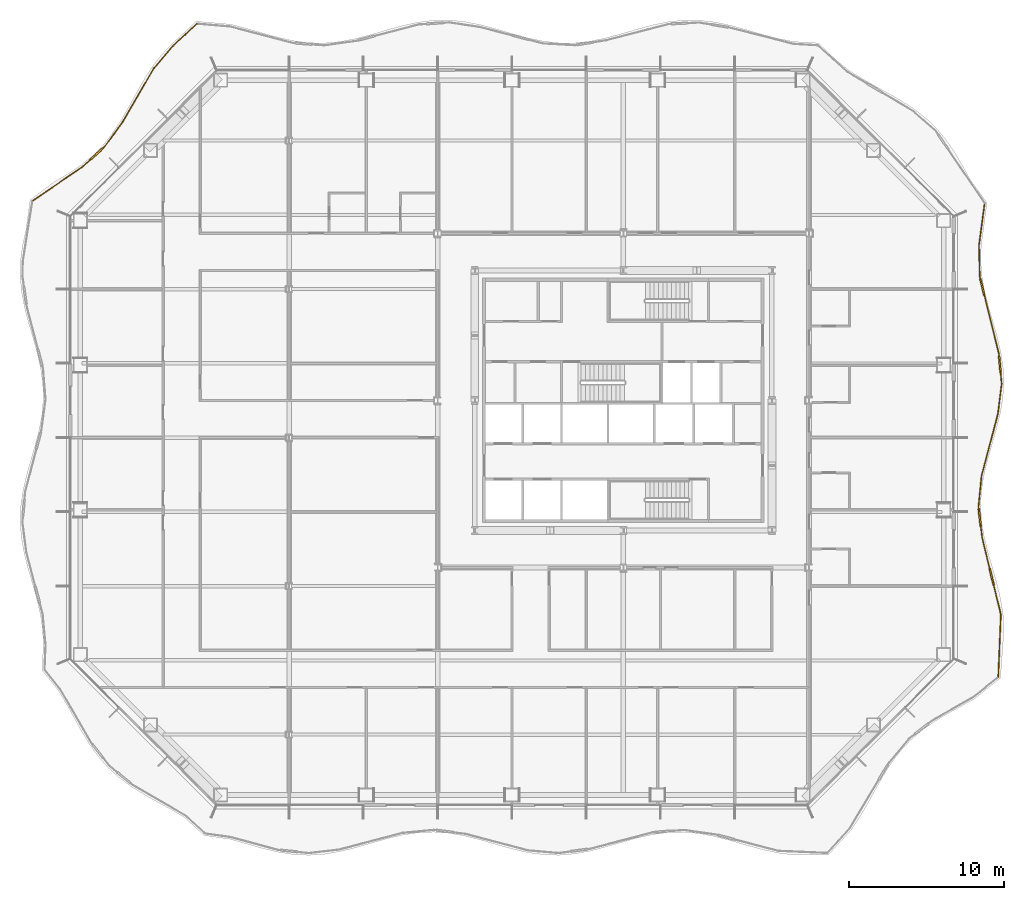
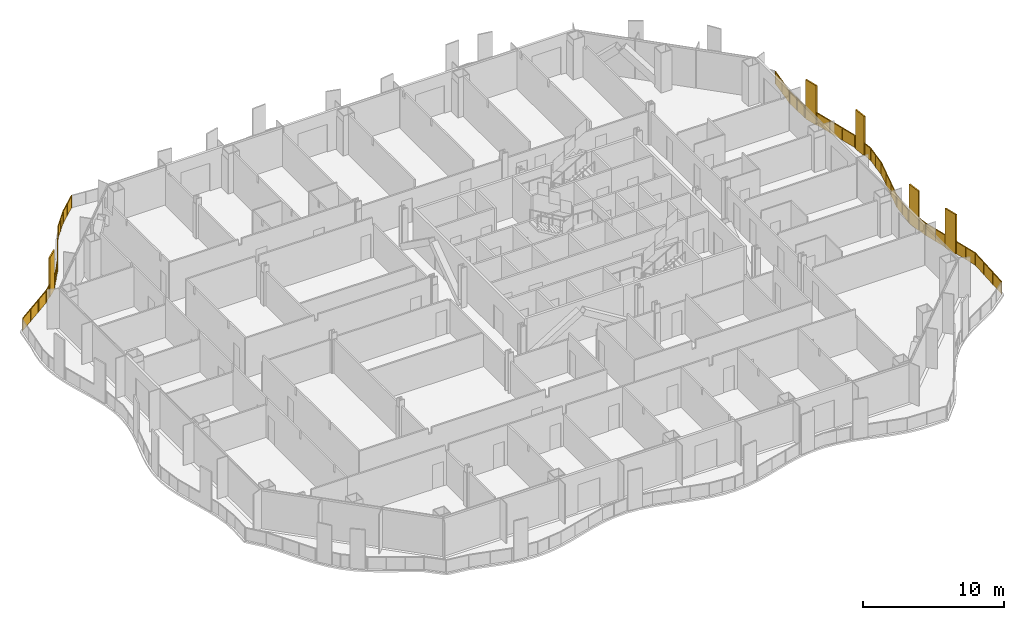
# One storey, part 19 of 21: 2 railings.
"""IFC4 building model written with IfcOpenShell, lengths in metres."""

from ifc_helpers import new_model, si_unit, direction, frame, origin, origin_2d, place, context, subcontext, project, spatial, polyline, rectangle, outline, extrude, material, type_object, element, save


model = new_model("IFC4")

# Units and contexts
model_context = context("Model", 3, precision=1e-05, world=origin(), true_north=direction((0.0, 1.0)))
body_context = subcontext(model_context, "Body", "Model", "MODEL_VIEW")
ifc_project = project(units=[si_unit("LENGTHUNIT", "METRE"), si_unit("AREAUNIT", "SQUARE_METRE"), si_unit("VOLUMEUNIT", "CUBIC_METRE"), si_unit("PLANEANGLEUNIT", "RADIAN"), si_unit("MASSUNIT", "GRAM", prefix="KILO")], contexts=[model_context])

# Site, building, storey
site_placement = place(None, origin())
site = spatial("IfcSite", under=ifc_project, at=site_placement, CompositionType="ELEMENT")
building_placement = place(site_placement, origin())
building = spatial("IfcBuilding", under=site, at=building_placement, Name="Cairn Pilgrim Tower", CompositionType="ELEMENT")
storey_placement = place(building_placement, frame((0.0, 0.0, 69.0)))
storey = spatial("IfcBuildingStorey", under=building, at=storey_placement, Name="L15", CompositionType="ELEMENT", Elevation=69.0)

# Railings
ifc_material = material(Name="Bronze anodised aluminium rail, posts and fin screens with laminated glass infill", Category="aluminium")
railing_type = type_object("IfcRailingType", Name="BALCONY GUARD WITH FIN SCREENS", PredefinedType="GUARDRAIL", material=ifc_material)
railing_1_placement = place(storey_placement, frame((31.428466796875, -15.47509765625, 0.0)))
element("IfcRailing", 1, at=railing_1_placement, inside=storey, type_object=railing_type, Name="Balcony guard BGF-3 with fin screens", PredefinedType="GUARDRAIL", context=body_context, shape_type="SweptSolid", body=[
    extrude(rectangle(XDim=0.050048828125, YDim=0.050048828125, at=origin_2d()), frame((0.0, 0.0, 1.0751953125), z_axis=(0.041665708271, 0.999131607324, 0.0), x_axis=(-0.999131607324, 0.041665708271, 0.0)), (0.0, 0.0, 1.0), 4.04296875),
    extrude(rectangle(XDim=1.10009765625, YDim=0.110107421875, at=origin_2d()), frame((-0.42529296875, 6.4736328125, 0.0), z_axis=(0.0, 0.0, 1.0), x_axis=(-0.237011292775, 0.971506895033, 0.0)), (0.0, 0.0, 1.0), 3.39990234375),
    extrude(rectangle(XDim=0.050048828125, YDim=0.050048828125, at=origin_2d()), frame((0.16845703125, 4.03955078125, 1.0751953125), z_axis=(-0.237011292775, 0.971506895033, 0.0), x_axis=(-0.971506895033, -0.237011292775, 0.0)), (0.0, 0.0, 1.0), 1.955322265625),
    extrude(rectangle(XDim=0.050048828125, YDim=0.050048828125, at=origin_2d()), frame((-0.5556640625, 7.0078125, 1.0751953125), z_axis=(-0.237011292775, 0.971506895033, 0.0), x_axis=(-0.971506895033, -0.237011292775, 0.0)), (0.0, 0.0, 1.0), 2.04345703125),
    extrude(rectangle(XDim=1.10009765625, YDim=0.110107421875, at=origin_2d()), frame((-1.1962890625, 10.3095703125, 0.0), z_axis=(0.0, 0.0, 1.0), x_axis=(-0.117876159792, 0.993028303198, 0.0)), (0.0, 0.0, 1.0), 3.39990234375),
    extrude(rectangle(XDim=0.050048828125, YDim=0.050048828125, at=origin_2d()), frame((-1.0400390625, 8.9931640625, 1.0751953125), z_axis=(-0.117876159792, 0.993028303198, 0.0), x_axis=(-0.993028303198, -0.117876159792, 0.0)), (0.0, 0.0, 1.0), 0.775634765625),
    extrude(rectangle(XDim=0.050048828125, YDim=0.050048828125, at=origin_2d()), frame((-1.26123046875, 10.855712890625, 1.0751953125), z_axis=(-0.117876159792, 0.993028303198, 0.0), x_axis=(-0.993028303198, -0.117876159792, 0.0)), (0.0, 0.0, 1.0), 0.14990234375),
    extrude(rectangle(XDim=0.050048828125, YDim=0.050048828125, at=origin_2d()), frame((-1.27880859375, 11.004638671875, 1.0751953125), z_axis=(0.098894713379, 0.995097902553, 0.0), x_axis=(-0.995097902553, 0.098894713379, 0.0)), (0.0, 0.0, 1.0), 2.0244140625),
    extrude(rectangle(XDim=0.050048828125, YDim=0.050048828125, at=origin_2d()), frame((-1.07861328125, 13.01904296875, 1.0751953125), z_axis=(0.256383755807, 0.966575071972, 0.0), x_axis=(-0.966575071972, 0.256383755807, 0.0)), (0.0, 0.0, 1.0), 4.11181640625),
    extrude(rectangle(XDim=0.050048828125, YDim=0.050048828125, at=origin_2d()), frame((-0.0244140625, 16.993408203125, 1.0751953125), z_axis=(0.123487025492, 0.99234618684, 0.0), x_axis=(-0.99234618684, 0.123487025492, 0.0)), (0.0, 0.0, 1.0), 1.97509765625),
    extrude(rectangle(XDim=1.10009765625, YDim=0.110107421875, at=origin_2d()), frame((0.101318359375, 20.215087890625, 0.0), z_axis=(0.0, 0.0, 1.0), x_axis=(-0.093209985169, 0.995646472733, 0.0)), (0.0, 0.0, 1.0), 3.39990234375),
    extrude(rectangle(XDim=0.050048828125, YDim=0.050048828125, at=origin_2d()), frame((0.219482421875, 18.953369140625, 1.0751953125), z_axis=(-0.093209985169, 0.995646472733, 0.0), x_axis=(-0.995646472733, -0.093209985169, 0.0)), (0.0, 0.0, 1.0), 0.71728515625),
    extrude(rectangle(XDim=0.050048828125, YDim=0.050048828125, at=origin_2d()), frame((0.050048828125, 20.7626953125, 1.0751953125), z_axis=(-0.093209985169, 0.995646472733, 0.0), x_axis=(-0.995646472733, -0.093209985169, 0.0)), (0.0, 0.0, 1.0), 0.14990234375),
    extrude(rectangle(XDim=1.10009765625, YDim=0.110107421875, at=origin_2d()), frame((-1.0283203125, 25.203369140625, 0.0), z_axis=(0.0, 0.0, 1.0), x_axis=(-0.240740522387, 0.970589512039, 0.0)), (0.0, 0.0, 1.0), 3.39990234375),
    extrude(rectangle(XDim=0.050048828125, YDim=0.050048828125, at=origin_2d()), frame((0.0361328125, 20.911865234375, 1.0751953125), z_axis=(-0.240740522387, 0.970589512039, 0.0), x_axis=(-0.970589512039, -0.240740522387, 0.0)), (0.0, 0.0, 1.0), 3.87158203125),
    extrude(rectangle(XDim=0.050048828125, YDim=0.050048828125, at=origin_2d()), frame((-1.16064453125, 25.737060546875, 1.0751953125), z_axis=(-0.240740522387, 0.970589512039, 0.0), x_axis=(-0.970589512039, -0.240740522387, 0.0)), (0.0, 0.0, 1.0), 0.14990234375),
    extrude(rectangle(XDim=0.050048828125, YDim=0.050048828125, at=origin_2d()), frame((-1.19677734375, 25.882568359375, 1.0751953125), z_axis=(-0.022900307287, 0.999737753576, 0.0), x_axis=(-0.999737753576, -0.022900307287, 0.0)), (0.0, 0.0, 1.0), 2.014892578125),
    extrude(rectangle(XDim=0.050048828125, YDim=0.050048828125, at=origin_2d()), frame((-1.242919921875, 27.89697265625, 1.0751953125), z_axis=(0.131338408309, 0.9913375926, 0.0), x_axis=(-0.9913375926, 0.131338408309, 0.0)), (0.0, 0.0, 1.0), 2.693603515625),
    extrude(rectangle(XDim=0.050048828125, YDim=0.050048828125, at=origin_2d()), origin(), (0.0, 0.0, 1.0), 1.050048828125),
    extrude(rectangle(XDim=0.050048828125, YDim=0.050048828125, at=origin_2d()), frame((0.05615234375, 1.346435546875, 0.0)), (0.0, 0.0, 1.0), 1.050048828125),
    extrude(rectangle(XDim=0.050048828125, YDim=0.050048828125, at=origin_2d()), frame((0.1123046875, 2.693115234375, 0.0)), (0.0, 0.0, 1.0), 1.050048828125),
    extrude(rectangle(XDim=0.050048828125, YDim=0.050048828125, at=origin_2d()), frame((0.16845703125, 4.03955078125, 0.0)), (0.0, 0.0, 1.0), 1.050048828125),
    extrude(rectangle(XDim=0.050048828125, YDim=0.050048828125, at=origin_2d()), frame((-0.060302734375, 4.977294921875, 0.0)), (0.0, 0.0, 1.0), 1.050048828125),
    extrude(rectangle(XDim=0.050048828125, YDim=0.050048828125, at=origin_2d()), frame((-0.2890625, 5.9150390625, 0.0)), (0.0, 0.0, 1.0), 1.050048828125),
    extrude(rectangle(XDim=0.050048828125, YDim=0.050048828125, at=origin_2d()), frame((-0.561767578125, 7.0322265625, 0.0)), (0.0, 0.0, 1.0), 1.050048828125),
    extrude(rectangle(XDim=0.050048828125, YDim=0.050048828125, at=origin_2d()), frame((-0.80078125, 8.0126953125, 0.0)), (0.0, 0.0, 1.0), 1.050048828125),
    extrude(rectangle(XDim=0.050048828125, YDim=0.050048828125, at=origin_2d()), frame((-1.0400390625, 8.9931640625, 0.0)), (0.0, 0.0, 1.0), 1.050048828125),
    extrude(rectangle(XDim=0.050048828125, YDim=0.050048828125, at=origin_2d()), frame((-1.12841796875, 9.738525390625, 0.0)), (0.0, 0.0, 1.0), 1.050048828125),
    extrude(rectangle(XDim=0.050048828125, YDim=0.050048828125, at=origin_2d()), frame((-1.26416015625, 10.880615234375, 0.0)), (0.0, 0.0, 1.0), 1.050048828125),
    extrude(rectangle(XDim=0.050048828125, YDim=0.050048828125, at=origin_2d()), frame((-1.27880859375, 11.004638671875, 0.0)), (0.0, 0.0, 1.0), 1.050048828125),
    extrude(rectangle(XDim=0.050048828125, YDim=0.050048828125, at=origin_2d()), frame((-1.1787109375, 12.01171875, 0.0)), (0.0, 0.0, 1.0), 1.050048828125),
    extrude(rectangle(XDim=0.050048828125, YDim=0.050048828125, at=origin_2d()), frame((-1.07861328125, 13.01904296875, 0.0)), (0.0, 0.0, 1.0), 1.050048828125),
    extrude(rectangle(XDim=0.050048828125, YDim=0.050048828125, at=origin_2d()), frame((-0.727294921875, 14.34375, 0.0)), (0.0, 0.0, 1.0), 1.050048828125),
    extrude(rectangle(XDim=0.050048828125, YDim=0.050048828125, at=origin_2d()), frame((-0.375732421875, 15.668701171875, 0.0)), (0.0, 0.0, 1.0), 1.050048828125),
    extrude(rectangle(XDim=0.050048828125, YDim=0.050048828125, at=origin_2d()), frame((-0.0244140625, 16.993408203125, 0.0)), (0.0, 0.0, 1.0), 1.050048828125),
    extrude(rectangle(XDim=0.050048828125, YDim=0.050048828125, at=origin_2d()), frame((0.09765625, 17.973388671875, 0.0)), (0.0, 0.0, 1.0), 1.050048828125),
    extrude(rectangle(XDim=0.050048828125, YDim=0.050048828125, at=origin_2d()), frame((0.219482421875, 18.953369140625, 0.0)), (0.0, 0.0, 1.0), 1.050048828125),
    extrude(rectangle(XDim=0.050048828125, YDim=0.050048828125, at=origin_2d()), frame((0.155029296875, 19.642578125, 0.0)), (0.0, 0.0, 1.0), 1.050048828125),
    extrude(rectangle(XDim=0.050048828125, YDim=0.050048828125, at=origin_2d()), frame((0.0478515625, 20.78759765625, 0.0)), (0.0, 0.0, 1.0), 1.050048828125),
    extrude(rectangle(XDim=0.050048828125, YDim=0.050048828125, at=origin_2d()), frame((0.0361328125, 20.911865234375, 0.0)), (0.0, 0.0, 1.0), 1.050048828125),
    extrude(rectangle(XDim=0.050048828125, YDim=0.050048828125, at=origin_2d()), frame((-0.2724609375, 22.15625, 0.0)), (0.0, 0.0, 1.0), 1.050048828125),
    extrude(rectangle(XDim=0.050048828125, YDim=0.050048828125, at=origin_2d()), frame((-0.581298828125, 23.400634765625, 0.0)), (0.0, 0.0, 1.0), 1.050048828125),
    extrude(rectangle(XDim=0.050048828125, YDim=0.050048828125, at=origin_2d()), frame((-0.889892578125, 24.645263671875, 0.0)), (0.0, 0.0, 1.0), 1.050048828125),
    extrude(rectangle(XDim=0.050048828125, YDim=0.050048828125, at=origin_2d()), frame((-1.166748046875, 25.761474609375, 0.0)), (0.0, 0.0, 1.0), 1.050048828125),
    extrude(rectangle(XDim=0.050048828125, YDim=0.050048828125, at=origin_2d()), frame((-1.19677734375, 25.882568359375, 0.0)), (0.0, 0.0, 1.0), 1.050048828125),
    extrude(rectangle(XDim=0.050048828125, YDim=0.050048828125, at=origin_2d()), frame((-1.2197265625, 26.8896484375, 0.0)), (0.0, 0.0, 1.0), 1.050048828125),
    extrude(rectangle(XDim=0.050048828125, YDim=0.050048828125, at=origin_2d()), frame((-1.242919921875, 27.89697265625, 0.0)), (0.0, 0.0, 1.0), 1.050048828125),
    extrude(rectangle(XDim=0.050048828125, YDim=0.050048828125, at=origin_2d()), frame((-1.06591796875, 29.23193359375, 0.0)), (0.0, 0.0, 1.0), 1.050048828125),
    extrude(rectangle(XDim=0.050048828125, YDim=0.050048828125, at=origin_2d()), frame((-0.88916015625, 30.567138671875, 0.0)), (0.0, 0.0, 1.0), 1.050048828125),
    extrude(outline(polyline([(0.02490234375, 0.0), (1.32275390625, 0.0), (1.32275390625, 1.050048828125), (0.02490234375, 1.050048828125), (0.02490234375, 0.0)])), frame((-0.005859375, 0.000244140625, 0.0), z_axis=(0.999131607324, -0.041665708271, 0.0), x_axis=(0.041665708271, 0.999131607324, 0.0)), (0.0, 0.0, 1.0), 0.011962890625),
    extrude(outline(polyline([(0.02490234375, 0.0), (1.32275390625, 0.0), (1.32275390625, 1.050048828125), (0.02490234375, 1.050048828125), (0.02490234375, 0.0)])), frame((0.05029296875, 1.3466796875, 0.0), z_axis=(0.999131607324, -0.041665708271, 0.0), x_axis=(0.041665708271, 0.999131607324, 0.0)), (0.0, 0.0, 1.0), 0.011962890625),
    extrude(outline(polyline([(0.02490234375, 0.0), (1.32275390625, 0.0), (1.32275390625, 1.050048828125), (0.02490234375, 1.050048828125), (0.02490234375, 0.0)])), frame((0.1064453125, 2.693359375, 0.0), z_axis=(0.999131607324, -0.041665708271, 0.0), x_axis=(0.041665708271, 0.999131607324, 0.0)), (0.0, 0.0, 1.0), 0.011962890625),
    extrude(outline(polyline([(0.02490234375, 0.0), (0.940185546875, 0.0), (0.940185546875, 1.050048828125), (0.02490234375, 1.050048828125), (0.02490234375, 0.0)])), frame((0.16259765625, 4.0380859375, 0.0), z_axis=(0.971506895033, 0.237011292775, 0.0), x_axis=(-0.237011292775, 0.971506895033, 0.0)), (0.0, 0.0, 1.0), 0.011962890625),
    extrude(outline(polyline([(0.02490234375, 0.0), (0.940185546875, 0.0), (0.940185546875, 1.050048828125), (0.02490234375, 1.050048828125), (0.02490234375, 0.0)])), frame((-0.066162109375, 4.975830078125, 0.0), z_axis=(0.971506895033, 0.237011292775, 0.0), x_axis=(-0.237011292775, 0.971506895033, 0.0)), (0.0, 0.0, 1.0), 0.011962890625),
    extrude(outline(polyline([(0.02490234375, 0.0), (0.984130859375, 0.0), (0.984130859375, 1.050048828125), (0.02490234375, 1.050048828125), (0.02490234375, 0.0)])), frame((-0.5673828125, 7.03076171875, 0.0), z_axis=(0.971506895033, 0.237011292775, 0.0), x_axis=(-0.237011292775, 0.971506895033, 0.0)), (0.0, 0.0, 1.0), 0.011962890625),
    extrude(outline(polyline([(0.02490234375, 0.0), (0.984130859375, 0.0), (0.984130859375, 1.050048828125), (0.02490234375, 1.050048828125), (0.02490234375, 0.0)])), frame((-0.806640625, 8.01123046875, 0.0), z_axis=(0.971506895033, 0.237011292775, 0.0), x_axis=(-0.237011292775, 0.971506895033, 0.0)), (0.0, 0.0, 1.0), 0.011962890625),
    extrude(outline(polyline([(0.02490234375, 0.0), (0.7255859375, 0.0), (0.7255859375, 1.050048828125), (0.02490234375, 1.050048828125), (0.02490234375, 0.0)])), frame((-1.0458984375, 8.992431640625, 0.0), z_axis=(0.993028303198, 0.117876159792, 0.0), x_axis=(-0.117876159792, 0.993028303198, 0.0)), (0.0, 0.0, 1.0), 0.011962890625),
    extrude(outline(polyline([(0.02490234375, 0.0), (0.099853515625, 0.0), (0.099853515625, 1.050048828125), (0.02490234375, 1.050048828125), (0.02490234375, 0.0)])), frame((-1.27001953125, 10.8798828125, 0.0), z_axis=(0.993028303198, 0.117876159792, 0.0), x_axis=(-0.117876159792, 0.993028303198, 0.0)), (0.0, 0.0, 1.0), 0.011962890625),
    extrude(outline(polyline([(0.02490234375, 0.0), (0.987060546875, 0.0), (0.987060546875, 1.050048828125), (0.02490234375, 1.050048828125), (0.02490234375, 0.0)])), frame((-1.28466796875, 11.005126953125, 0.0), z_axis=(0.995097902553, -0.098894713379, 0.0), x_axis=(0.098894713379, 0.995097902553, 0.0)), (0.0, 0.0, 1.0), 0.011962890625),
    extrude(outline(polyline([(0.02490234375, 0.0), (0.987060546875, 0.0), (0.987060546875, 1.050048828125), (0.02490234375, 1.050048828125), (0.02490234375, 0.0)])), frame((-1.1845703125, 12.012451171875, 0.0), z_axis=(0.995097902553, -0.098894713379, 0.0), x_axis=(0.098894713379, 0.995097902553, 0.0)), (0.0, 0.0, 1.0), 0.011962890625),
    extrude(outline(polyline([(0.02490234375, 0.0), (1.345458984375, 0.0), (1.345458984375, 1.050048828125), (0.02490234375, 1.050048828125), (0.02490234375, 0.0)])), frame((-1.08447265625, 13.0205078125, 0.0), z_axis=(0.966575071972, -0.256383755807, 0.0), x_axis=(0.256383755807, 0.966575071972, 0.0)), (0.0, 0.0, 1.0), 0.011962890625),
    extrude(outline(polyline([(0.02490234375, 0.0), (1.345458984375, 0.0), (1.345458984375, 1.050048828125), (0.02490234375, 1.050048828125), (0.02490234375, 0.0)])), frame((-0.73291015625, 14.345458984375, 0.0), z_axis=(0.966575071972, -0.256383755807, 0.0), x_axis=(0.256383755807, 0.966575071972, 0.0)), (0.0, 0.0, 1.0), 0.011962890625),
    extrude(outline(polyline([(0.02490234375, 0.0), (1.345458984375, 0.0), (1.345458984375, 1.050048828125), (0.02490234375, 1.050048828125), (0.02490234375, 0.0)])), frame((-0.381591796875, 15.670166015625, 0.0), z_axis=(0.966575071972, -0.256383755807, 0.0), x_axis=(0.256383755807, 0.966575071972, 0.0)), (0.0, 0.0, 1.0), 0.011962890625),
    extrude(outline(polyline([(0.02490234375, 0.0), (0.96240234375, 0.0), (0.96240234375, 1.050048828125), (0.02490234375, 1.050048828125), (0.02490234375, 0.0)])), frame((-0.0302734375, 16.994140625, 0.0), z_axis=(0.99234618684, -0.123487025492, 0.0), x_axis=(0.123487025492, 0.99234618684, 0.0)), (0.0, 0.0, 1.0), 0.011962890625),
    extrude(outline(polyline([(0.02490234375, 0.0), (0.96240234375, 0.0), (0.96240234375, 1.050048828125), (0.02490234375, 1.050048828125), (0.02490234375, 0.0)])), frame((0.091552734375, 17.97412109375, 0.0), z_axis=(0.99234618684, -0.123487025492, 0.0), x_axis=(0.123487025492, 0.99234618684, 0.0)), (0.0, 0.0, 1.0), 0.011962890625),
    extrude(outline(polyline([(0.02490234375, 0.0), (0.667236328125, 0.0), (0.667236328125, 1.050048828125), (0.02490234375, 1.050048828125), (0.02490234375, 0.0)])), frame((0.213623046875, 18.952880859375, 0.0), z_axis=(0.995646472733, 0.093209985169, 0.0), x_axis=(-0.093209985169, 0.995646472733, 0.0)), (0.0, 0.0, 1.0), 0.011962890625),
    extrude(outline(polyline([(0.02490234375, 0.0), (0.099853515625, 0.0), (0.099853515625, 1.050048828125), (0.02490234375, 1.050048828125), (0.02490234375, 0.0)])), frame((0.041748046875, 20.787109375, 0.0), z_axis=(0.995646472733, 0.093209985169, 0.0), x_axis=(-0.093209985169, 0.995646472733, 0.0)), (0.0, 0.0, 1.0), 0.011962890625),
    extrude(outline(polyline([(0.02490234375, 0.0), (1.257080078125, 0.0), (1.257080078125, 1.050048828125), (0.02490234375, 1.050048828125), (0.02490234375, 0.0)])), frame((0.0302734375, 20.910400390625, 0.0), z_axis=(0.970589512039, 0.240740522387, 0.0), x_axis=(-0.240740522387, 0.970589512039, 0.0)), (0.0, 0.0, 1.0), 0.011962890625),
    extrude(outline(polyline([(0.02490234375, 0.0), (1.257080078125, 0.0), (1.257080078125, 1.050048828125), (0.02490234375, 1.050048828125), (0.02490234375, 0.0)])), frame((-0.2783203125, 22.15478515625, 0.0), z_axis=(0.970589512039, 0.240740522387, 0.0), x_axis=(-0.240740522387, 0.970589512039, 0.0)), (0.0, 0.0, 1.0), 0.011962890625),
    extrude(outline(polyline([(0.02490234375, 0.0), (1.257080078125, 0.0), (1.257080078125, 1.050048828125), (0.02490234375, 1.050048828125), (0.02490234375, 0.0)])), frame((-0.5869140625, 23.3994140625, 0.0), z_axis=(0.970589512039, 0.240740522387, 0.0), x_axis=(-0.240740522387, 0.970589512039, 0.0)), (0.0, 0.0, 1.0), 0.011962890625),
    extrude(outline(polyline([(0.02490234375, 0.0), (0.099853515625, 0.0), (0.099853515625, 1.050048828125), (0.02490234375, 1.050048828125), (0.02490234375, 0.0)])), frame((-1.172607421875, 25.760009765625, 0.0), z_axis=(0.970589512039, 0.240740522387, 0.0), x_axis=(-0.240740522387, 0.970589512039, 0.0)), (0.0, 0.0, 1.0), 0.011962890625),
    extrude(outline(polyline([(0.02490234375, 0.0), (0.982421875, 0.0), (0.982421875, 1.050048828125), (0.02490234375, 1.050048828125), (0.02490234375, 0.0)])), frame((-1.20263671875, 25.88232421875, 0.0), z_axis=(0.999737753576, 0.022900307287, 0.0), x_axis=(-0.022900307287, 0.999737753576, 0.0)), (0.0, 0.0, 1.0), 0.011962890625),
    extrude(outline(polyline([(0.02490234375, 0.0), (0.982421875, 0.0), (0.982421875, 1.050048828125), (0.02490234375, 1.050048828125), (0.02490234375, 0.0)])), frame((-1.225830078125, 26.8896484375, 0.0), z_axis=(0.999737753576, 0.022900307287, 0.0), x_axis=(-0.022900307287, 0.999737753576, 0.0)), (0.0, 0.0, 1.0), 0.011962890625),
    extrude(outline(polyline([(0.02490234375, 0.0), (1.32177734375, 0.0), (1.32177734375, 1.050048828125), (0.02490234375, 1.050048828125), (0.02490234375, 0.0)])), frame((-1.248779296875, 27.897705078125, 0.0), z_axis=(0.9913375926, -0.131338408309, 0.0), x_axis=(0.131338408309, 0.9913375926, 0.0)), (0.0, 0.0, 1.0), 0.011962890625),
    extrude(outline(polyline([(0.02490234375, 0.0), (1.32177734375, 0.0), (1.32177734375, 1.050048828125), (0.02490234375, 1.050048828125), (0.02490234375, 0.0)])), frame((-1.072021484375, 29.23291015625, 0.0), z_axis=(0.9913375926, -0.131338408309, 0.0), x_axis=(0.131338408309, 0.9913375926, 0.0)), (0.0, 0.0, 1.0), 0.011962890625),
])
railing_2_placement = place(storey_placement, frame((-20.352783203125, 26.7568359375, 0.0)))
element("IfcRailing", 2, at=railing_2_placement, inside=storey, type_object=railing_type, Name="Balcony guard BGF-6 with fin screens", PredefinedType="GUARDRAIL", context=body_context, shape_type="SweptSolid", body=[
    extrude(rectangle(XDim=0.050048828125, YDim=0.050048828125, at=origin_2d()), frame((0.0, 0.0, 1.0751953125), z_axis=(-0.733756386003, -0.679412662526, 0.0), x_axis=(0.679412662526, -0.733756386003, 0.0)), (0.0, 0.0, 1.0), 2.1025390625),
    extrude(rectangle(XDim=0.050048828125, YDim=0.050048828125, at=origin_2d()), frame((-1.542724609375, -1.428466796875, 1.0751953125), z_axis=(-0.650613627025, -0.759408920364, 0.0), x_axis=(0.759408920364, -0.650613627025, 0.0)), (0.0, 0.0, 1.0), 1.923095703125),
    extrude(rectangle(XDim=0.050048828125, YDim=0.050048828125, at=origin_2d()), frame((-2.7939453125, -2.888916015625, 1.0751953125), z_axis=(-0.503518539899, -0.863984421143, 0.0), x_axis=(0.863984421143, -0.503518539899, 0.0)), (0.0, 0.0, 1.0), 4.005615234375),
    extrude(rectangle(XDim=0.050048828125, YDim=0.050048828125, at=origin_2d()), frame((-4.810791015625, -6.349609375, 1.0751953125), z_axis=(-0.587462785111, -0.809251182334, 0.0), x_axis=(0.809251182334, -0.587462785111, 0.0)), (0.0, 0.0, 1.0), 1.98681640625),
    extrude(rectangle(XDim=1.10009765625, YDim=0.110107421875, at=origin_2d()), frame((-6.497314453125, -8.4267578125, 0.0), z_axis=(0.0, 0.0, 1.0), x_axis=(-0.741935392505, -0.670471381454, 0.0)), (0.0, 0.0, 1.0), 3.39990234375),
    extrude(rectangle(XDim=0.050048828125, YDim=0.050048828125, at=origin_2d()), frame((-5.97802734375, -7.95751953125, 1.0751953125), z_axis=(-0.741935392505, -0.670471381454, 0.0), x_axis=(0.670471381454, -0.741935392505, 0.0)), (0.0, 0.0, 1.0), 0.14990234375),
    extrude(rectangle(XDim=0.050048828125, YDim=0.050048828125, at=origin_2d()), frame((-6.905517578125, -8.795654296875, 1.0751953125), z_axis=(-0.741935392505, -0.670471381454, 0.0), x_axis=(0.670471381454, -0.741935392505, 0.0)), (0.0, 0.0, 1.0), 0.7177734375),
    extrude(rectangle(XDim=0.050048828125, YDim=0.050048828125, at=origin_2d()), frame((-7.43798828125, -9.27685546875, 1.0751953125), z_axis=(-0.826068405775, -0.563569861668, 0.0), x_axis=(0.563569861668, -0.826068405775, 0.0)), (0.0, 0.0, 1.0), 3.835693359375),
    extrude(rectangle(XDim=0.050048828125, YDim=0.050048828125, at=origin_2d()), origin(), (0.0, 0.0, 1.0), 1.050048828125),
    extrude(rectangle(XDim=0.050048828125, YDim=0.050048828125, at=origin_2d()), frame((-0.771484375, -0.71435546875, 0.0)), (0.0, 0.0, 1.0), 1.050048828125),
    extrude(rectangle(XDim=0.050048828125, YDim=0.050048828125, at=origin_2d()), frame((-1.542724609375, -1.428466796875, 0.0)), (0.0, 0.0, 1.0), 1.050048828125),
    extrude(rectangle(XDim=0.050048828125, YDim=0.050048828125, at=origin_2d()), frame((-2.16845703125, -2.15869140625, 0.0)), (0.0, 0.0, 1.0), 1.050048828125),
    extrude(rectangle(XDim=0.050048828125, YDim=0.050048828125, at=origin_2d()), frame((-2.7939453125, -2.888916015625, 0.0)), (0.0, 0.0, 1.0), 1.050048828125),
    extrude(rectangle(XDim=0.050048828125, YDim=0.050048828125, at=origin_2d()), frame((-3.46630859375, -4.04248046875, 0.0)), (0.0, 0.0, 1.0), 1.050048828125),
    extrude(rectangle(XDim=0.050048828125, YDim=0.050048828125, at=origin_2d()), frame((-4.138427734375, -5.196044921875, 0.0)), (0.0, 0.0, 1.0), 1.050048828125),
    extrude(rectangle(XDim=0.050048828125, YDim=0.050048828125, at=origin_2d()), frame((-4.810791015625, -6.349609375, 0.0)), (0.0, 0.0, 1.0), 1.050048828125),
    extrude(rectangle(XDim=0.050048828125, YDim=0.050048828125, at=origin_2d()), frame((-5.39453125, -7.153564453125, 0.0)), (0.0, 0.0, 1.0), 1.050048828125),
    extrude(rectangle(XDim=0.050048828125, YDim=0.050048828125, at=origin_2d()), frame((-5.97802734375, -7.95751953125, 0.0)), (0.0, 0.0, 1.0), 1.050048828125),
    extrude(rectangle(XDim=0.050048828125, YDim=0.050048828125, at=origin_2d()), frame((-6.07080078125, -8.041259765625, 0.0)), (0.0, 0.0, 1.0), 1.050048828125),
    extrude(rectangle(XDim=0.050048828125, YDim=0.050048828125, at=origin_2d()), frame((-6.924072265625, -8.812255859375, 0.0)), (0.0, 0.0, 1.0), 1.050048828125),
    extrude(rectangle(XDim=0.050048828125, YDim=0.050048828125, at=origin_2d()), frame((-7.43798828125, -9.27685546875, 0.0)), (0.0, 0.0, 1.0), 1.050048828125),
    extrude(rectangle(XDim=0.050048828125, YDim=0.050048828125, at=origin_2d()), frame((-8.494140625, -9.997314453125, 0.0)), (0.0, 0.0, 1.0), 1.050048828125),
    extrude(rectangle(XDim=0.050048828125, YDim=0.050048828125, at=origin_2d()), frame((-9.55029296875, -10.718017578125, 0.0)), (0.0, 0.0, 1.0), 1.050048828125),
    extrude(rectangle(XDim=0.050048828125, YDim=0.050048828125, at=origin_2d()), frame((-10.6064453125, -11.4384765625, 0.0)), (0.0, 0.0, 1.0), 1.050048828125),
    extrude(outline(polyline([(0.02490234375, 0.0), (1.026123046875, 0.0), (1.026123046875, 1.050048828125), (0.02490234375, 1.050048828125), (0.02490234375, 0.0)])), frame((0.004150390625, -0.00439453125, 0.0), z_axis=(-0.679412662526, 0.733756386003, 0.0), x_axis=(-0.733756386003, -0.679412662526, 0.0)), (0.0, 0.0, 1.0), 0.011962890625),
    extrude(outline(polyline([(0.02490234375, 0.0), (1.026123046875, 0.0), (1.026123046875, 1.050048828125), (0.02490234375, 1.050048828125), (0.02490234375, 0.0)])), frame((-0.767333984375, -0.718505859375, 0.0), z_axis=(-0.679412662526, 0.733756386003, 0.0), x_axis=(-0.733756386003, -0.679412662526, 0.0)), (0.0, 0.0, 1.0), 0.011962890625),
    extrude(outline(polyline([(0.02490234375, 0.0), (0.9365234375, 0.0), (0.9365234375, 1.050048828125), (0.02490234375, 1.050048828125), (0.02490234375, 0.0)])), frame((-1.5380859375, -1.432373046875, 0.0), z_axis=(-0.759408920364, 0.650613627025, 0.0), x_axis=(-0.650613627025, -0.759408920364, 0.0)), (0.0, 0.0, 1.0), 0.011962890625),
    extrude(outline(polyline([(0.02490234375, 0.0), (0.9365234375, 0.0), (0.9365234375, 1.050048828125), (0.02490234375, 1.050048828125), (0.02490234375, 0.0)])), frame((-2.163818359375, -2.16259765625, 0.0), z_axis=(-0.759408920364, 0.650613627025, 0.0), x_axis=(-0.650613627025, -0.759408920364, 0.0)), (0.0, 0.0, 1.0), 0.011962890625),
    extrude(outline(polyline([(0.02490234375, 0.0), (1.31005859375, 0.0), (1.31005859375, 1.050048828125), (0.02490234375, 1.050048828125), (0.02490234375, 0.0)])), frame((-2.788818359375, -2.891845703125, 0.0), z_axis=(-0.863984421143, 0.503518539899, 0.0), x_axis=(-0.503518539899, -0.863984421143, 0.0)), (0.0, 0.0, 1.0), 0.011962890625),
    extrude(outline(polyline([(0.02490234375, 0.0), (1.31005859375, 0.0), (1.31005859375, 1.050048828125), (0.02490234375, 1.050048828125), (0.02490234375, 0.0)])), frame((-3.4609375, -4.04541015625, 0.0), z_axis=(-0.863984421143, 0.503518539899, 0.0), x_axis=(-0.503518539899, -0.863984421143, 0.0)), (0.0, 0.0, 1.0), 0.011962890625),
    extrude(outline(polyline([(0.02490234375, 0.0), (1.31005859375, 0.0), (1.31005859375, 1.050048828125), (0.02490234375, 1.050048828125), (0.02490234375, 0.0)])), frame((-4.13330078125, -5.198974609375, 0.0), z_axis=(-0.863984421143, 0.503518539899, 0.0), x_axis=(-0.503518539899, -0.863984421143, 0.0)), (0.0, 0.0, 1.0), 0.011962890625),
    extrude(outline(polyline([(0.02490234375, 0.0), (0.968505859375, 0.0), (0.968505859375, 1.050048828125), (0.02490234375, 1.050048828125), (0.02490234375, 0.0)])), frame((-4.805908203125, -6.35302734375, 0.0), z_axis=(-0.809251182334, 0.587462785111, 0.0), x_axis=(-0.587462785111, -0.809251182334, 0.0)), (0.0, 0.0, 1.0), 0.011962890625),
    extrude(outline(polyline([(0.02490234375, 0.0), (0.968505859375, 0.0), (0.968505859375, 1.050048828125), (0.02490234375, 1.050048828125), (0.02490234375, 0.0)])), frame((-5.3896484375, -7.156982421875, 0.0), z_axis=(-0.809251182334, 0.587462785111, 0.0), x_axis=(-0.587462785111, -0.809251182334, 0.0)), (0.0, 0.0, 1.0), 0.011962890625),
    extrude(outline(polyline([(0.02490234375, 0.0), (0.099853515625, 0.0), (0.099853515625, 1.050048828125), (0.02490234375, 1.050048828125), (0.02490234375, 0.0)])), frame((-5.97412109375, -7.9619140625, 0.0), z_axis=(-0.670471381454, 0.741935392505, 0.0), x_axis=(-0.741935392505, -0.670471381454, 0.0)), (0.0, 0.0, 1.0), 0.011962890625),
    extrude(outline(polyline([(0.02490234375, 0.0), (0.667724609375, 0.0), (0.667724609375, 1.050048828125), (0.02490234375, 1.050048828125), (0.02490234375, 0.0)])), frame((-6.919921875, -8.81689453125, 0.0), z_axis=(-0.670471381454, 0.741935392505, 0.0), x_axis=(-0.741935392505, -0.670471381454, 0.0)), (0.0, 0.0, 1.0), 0.011962890625),
    extrude(outline(polyline([(0.02490234375, 0.0), (1.25341796875, 0.0), (1.25341796875, 1.050048828125), (0.02490234375, 1.050048828125), (0.02490234375, 0.0)])), frame((-7.4345703125, -9.28173828125, 0.0), z_axis=(-0.563569861668, 0.826068405775, 0.0), x_axis=(-0.826068405775, -0.563569861668, 0.0)), (0.0, 0.0, 1.0), 0.011962890625),
    extrude(outline(polyline([(0.02490234375, 0.0), (1.25341796875, 0.0), (1.25341796875, 1.050048828125), (0.02490234375, 1.050048828125), (0.02490234375, 0.0)])), frame((-8.49072265625, -10.00244140625, 0.0), z_axis=(-0.563569861668, 0.826068405775, 0.0), x_axis=(-0.826068405775, -0.563569861668, 0.0)), (0.0, 0.0, 1.0), 0.011962890625),
    extrude(outline(polyline([(0.02490234375, 0.0), (1.25341796875, 0.0), (1.25341796875, 1.050048828125), (0.02490234375, 1.050048828125), (0.02490234375, 0.0)])), frame((-9.546875, -10.722900390625, 0.0), z_axis=(-0.563569861668, 0.826068405775, 0.0), x_axis=(-0.826068405775, -0.563569861668, 0.0)), (0.0, 0.0, 1.0), 0.011962890625),
])

save(model, "model.ifc")
